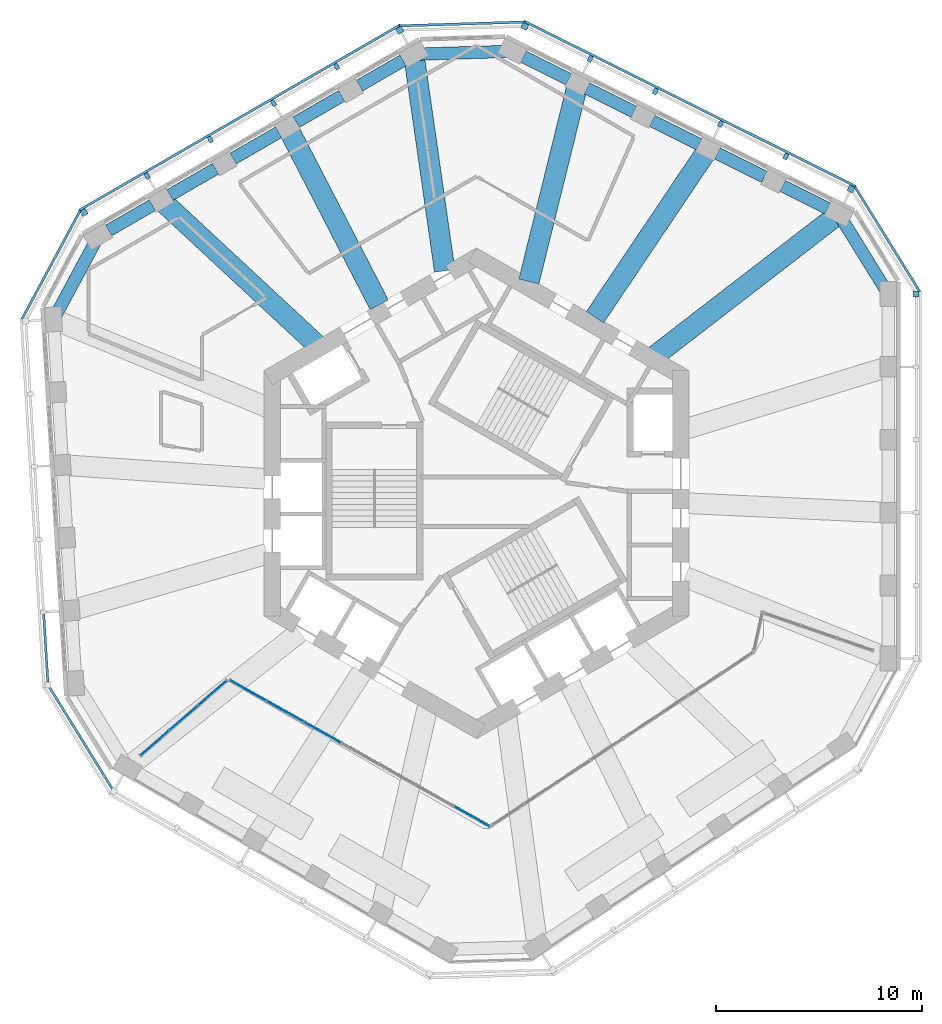
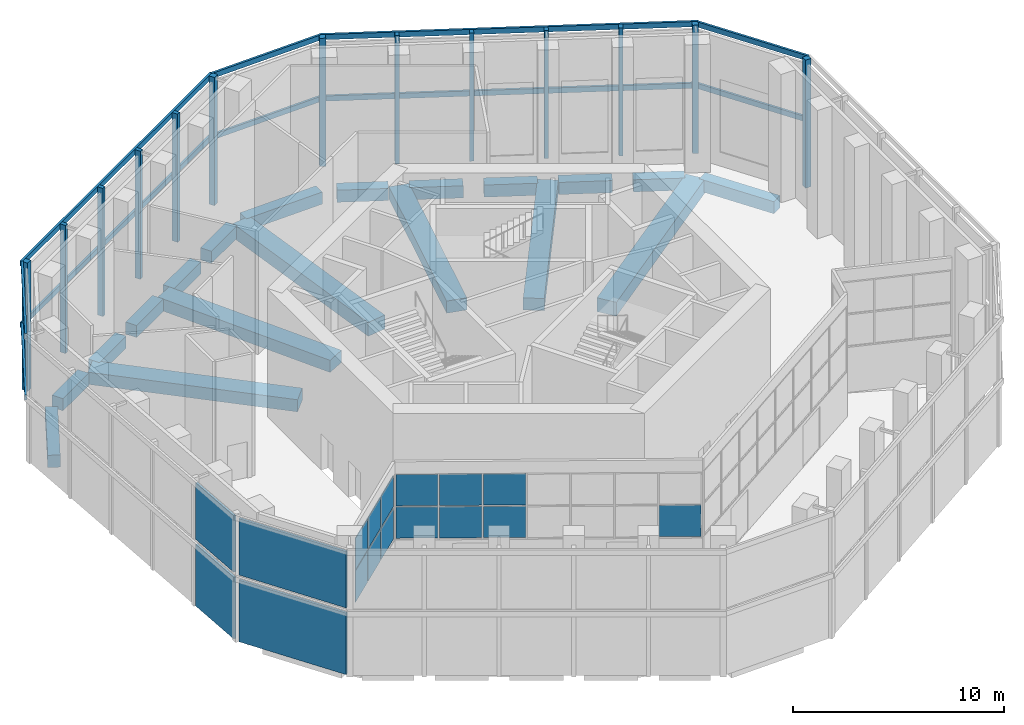
# One storey, part 6 of 17: 23 members, 19 beams, 17 plates, 10 elements without a shape of their own.
"""IFC4 building model written with IfcOpenShell, lengths in metres."""

from ifc_helpers import new_model, si_unit, direction, frame, origin, origin_2d, place, context, subcontext, project, spatial, rectangle, extrude, material, layer, layer_set, material_profile, profile_set, type_object, element, aggregate, save


model = new_model("IFC4")

# Units and contexts
model_context = context("Model", 3, precision=1e-05, world=origin(), true_north=direction((0.0, 1.0)))
body_context = subcontext(model_context, "Body", "Model", "MODEL_VIEW")
ifc_project = project(units=[si_unit("LENGTHUNIT", "METRE"), si_unit("AREAUNIT", "SQUARE_METRE"), si_unit("VOLUMEUNIT", "CUBIC_METRE"), si_unit("PLANEANGLEUNIT", "RADIAN"), si_unit("MASSUNIT", "GRAM", prefix="KILO")], contexts=[model_context])

# Site, building, storey
site_placement = place(None, origin())
site = spatial("IfcSite", under=ifc_project, at=site_placement, CompositionType="ELEMENT")
building_placement = place(site_placement, origin())
building = spatial("IfcBuilding", under=site, at=building_placement, Name="Vanh Sen Convention Tower", CompositionType="ELEMENT")
storey_placement = place(building_placement, frame((0.0, 0.0, 214.300048828125)))
storey = spatial("IfcBuildingStorey", under=building, at=storey_placement, Name="L53", CompositionType="ELEMENT", Elevation=214.300048828125)

# Curtain wall, member
ifc_material_1 = material(Name="Concrete C50/60", Category="concrete")
curtain_wall_type_1 = type_object("IfcCurtainWallType", Name="Outer skin office zone", PredefinedType="NOTDEFINED", material=ifc_material_1)
curtain_wall_1_placement = place(storey_placement, origin())
curtain_wall_1 = element("IfcCurtainWall", 1, at=curtain_wall_1_placement, inside=storey, type_object=curtain_wall_type_1, Name="OUTER SKIN E L53", PredefinedType="NOTDEFINED")
ifc_material_profile_1 = material_profile(ifc_material_1, rectangle(XDim=0.300048828125, YDim=0.300048828125, at=origin_2d()), Name="Outer skin precast corner fin 300 x 300")
ifc_profile_set_1 = profile_set([ifc_material_profile_1], Name="Concrete C50/60")
member_type_1 = type_object("IfcMemberType", Name="Outer skin precast corner fin 300 x 300", PredefinedType="MULLION", material=ifc_profile_set_1)
member_1_placement = place(storey_placement, frame((21.300048828125, 9.665283203125, 0.0), z_axis=(0.0, 0.0, 1.0), x_axis=(0.0, 1.0, 0.0)))
member_1 = element("IfcMember", 2, at=member_1_placement, type_object=member_type_1, Name="OUTER SKIN CORNER FIN 6 E L53", PredefinedType="MULLION", context=body_context, shape_type="SweptSolid", body=[
    extrude(rectangle(XDim=0.300048828125, YDim=0.300048828125, at=origin_2d()), origin(), (0.0, 0.0, 1.0), 7.39990234375),
])
aggregate(curtain_wall_1, [member_1])

# Curtain wall, members
curtain_wall_2_placement = place(storey_placement, origin())
curtain_wall_2 = element("IfcCurtainWall", 3, at=curtain_wall_2_placement, inside=storey, type_object=curtain_wall_type_1, Name="OUTER SKIN NE L53", PredefinedType="NOTDEFINED")
member_2_placement = place(storey_placement, frame((18.15380859375, 14.74951171875, 0.0), z_axis=(0.0, 0.0, 1.0), x_axis=(-0.894934361602, 0.44619781311, 0.0)))
member_2 = element("IfcMember", 4, at=member_2_placement, type_object=member_type_1, Name="OUTER SKIN CORNER FIN 1 NE L53", PredefinedType="MULLION", context=body_context, shape_type="SweptSolid", body=[
    extrude(rectangle(XDim=0.300048828125, YDim=0.300048828125, at=origin_2d()), origin(), (0.0, 0.0, 1.0), 7.39990234375),
])
member_3_placement = place(storey_placement, frame((2.342041015625, 22.633056640625, 0.0), z_axis=(0.0, 0.0, 1.0), x_axis=(-0.894934361602, 0.44619781311, 0.0)))
member_3 = element("IfcMember", 5, at=member_3_placement, type_object=member_type_1, Name="OUTER SKIN CORNER FIN 6 NE L53", PredefinedType="MULLION", context=body_context, shape_type="SweptSolid", body=[
    extrude(rectangle(XDim=0.300048828125, YDim=0.300048828125, at=origin_2d()), origin(), (0.0, 0.0, 1.0), 7.39990234375),
])

curtain_wall_3_placement = place(storey_placement, origin())
curtain_wall_3 = element("IfcCurtainWall", 6, at=curtain_wall_3_placement, inside=storey, type_object=curtain_wall_type_1, Name="OUTER SKIN NW L53", PredefinedType="NOTDEFINED")
member_4_placement = place(storey_placement, frame((-3.719482421875, 22.44775390625, 0.0), z_axis=(0.0, 0.0, 1.0), x_axis=(-0.866025403784, -0.5, 0.0)))
member_4 = element("IfcMember", 7, at=member_4_placement, type_object=member_type_1, Name="OUTER SKIN CORNER FIN 1 NW L53", PredefinedType="MULLION", context=body_context, shape_type="SweptSolid", body=[
    extrude(rectangle(XDim=0.300048828125, YDim=0.300048828125, at=origin_2d()), origin(), (0.0, 0.0, 1.0), 7.39990234375),
])
member_5_placement = place(storey_placement, frame((-19.0205078125, 13.613525390625, 0.0), z_axis=(0.0, 0.0, 1.0), x_axis=(-0.866025403784, -0.5, 0.0)))
member_5 = element("IfcMember", 8, at=member_5_placement, type_object=member_type_1, Name="OUTER SKIN CORNER FIN 6 NW L53", PredefinedType="MULLION", context=body_context, shape_type="SweptSolid", body=[
    extrude(rectangle(XDim=0.300048828125, YDim=0.300048828125, at=origin_2d()), origin(), (0.0, 0.0, 1.0), 7.39990234375),
])

# Member
ifc_material_profile_2 = material_profile(ifc_material_1, rectangle(XDim=0.199951171875, YDim=0.300048828125, at=origin_2d()), Name="Outer skin precast fin 200 x 300")
ifc_profile_set_2 = profile_set([ifc_material_profile_2], Name="Concrete C50/60")
member_type_2 = type_object("IfcMemberType", Name="Outer skin precast fin 200 x 300", PredefinedType="MULLION", material=ifc_profile_set_2)
member_6_placement = place(storey_placement, frame((14.99169921875, 16.326171875, 0.0), z_axis=(0.0, 0.0, 1.0), x_axis=(-0.894934361602, 0.44619781311, 0.0)))
member_6 = element("IfcMember", 9, at=member_6_placement, type_object=member_type_2, Name="OUTER SKIN fin 2 NE L53", PredefinedType="MULLION", context=body_context, shape_type="SweptSolid", body=[
    extrude(rectangle(XDim=0.199951171875, YDim=0.300048828125, at=origin_2d()), origin(), (0.0, 0.0, 1.0), 7.39990234375),
])

member_7_placement = place(storey_placement, frame((11.8291015625, 17.90283203125, 0.0), z_axis=(0.0, 0.0, 1.0), x_axis=(-0.894934361602, 0.44619781311, 0.0)))
member_7 = element("IfcMember", 10, at=member_7_placement, type_object=member_type_2, Name="OUTER SKIN fin 3 NE L53", PredefinedType="MULLION", context=body_context, shape_type="SweptSolid", body=[
    extrude(rectangle(XDim=0.199951171875, YDim=0.300048828125, at=origin_2d()), origin(), (0.0, 0.0, 1.0), 7.39990234375),
])

member_8_placement = place(storey_placement, frame((8.666748046875, 19.4794921875, 0.0), z_axis=(0.0, 0.0, 1.0), x_axis=(-0.894934361602, 0.44619781311, 0.0)))
member_8 = element("IfcMember", 11, at=member_8_placement, type_object=member_type_2, Name="OUTER SKIN fin 4 NE L53", PredefinedType="MULLION", context=body_context, shape_type="SweptSolid", body=[
    extrude(rectangle(XDim=0.199951171875, YDim=0.300048828125, at=origin_2d()), origin(), (0.0, 0.0, 1.0), 7.39990234375),
])

member_9_placement = place(storey_placement, frame((5.50439453125, 21.056396484375, 0.0), z_axis=(0.0, 0.0, 1.0), x_axis=(-0.894934361602, 0.44619781311, 0.0)))
member_9 = element("IfcMember", 12, at=member_9_placement, type_object=member_type_2, Name="OUTER SKIN fin 5 NE L53", PredefinedType="MULLION", context=body_context, shape_type="SweptSolid", body=[
    extrude(rectangle(XDim=0.199951171875, YDim=0.300048828125, at=origin_2d()), origin(), (0.0, 0.0, 1.0), 7.39990234375),
])

member_10_placement = place(storey_placement, frame((-6.779541015625, 20.680908203125, 0.0), z_axis=(0.0, 0.0, 1.0), x_axis=(-0.866025403784, -0.5, 0.0)))
member_10 = element("IfcMember", 13, at=member_10_placement, type_object=member_type_2, Name="OUTER SKIN fin 2 NW L53", PredefinedType="MULLION", context=body_context, shape_type="SweptSolid", body=[
    extrude(rectangle(XDim=0.199951171875, YDim=0.300048828125, at=origin_2d()), origin(), (0.0, 0.0, 1.0), 7.39990234375),
])

member_11_placement = place(storey_placement, frame((-9.83984375, 18.9140625, 0.0), z_axis=(0.0, 0.0, 1.0), x_axis=(-0.866025403784, -0.5, 0.0)))
member_11 = element("IfcMember", 14, at=member_11_placement, type_object=member_type_2, Name="OUTER SKIN fin 3 NW L53", PredefinedType="MULLION", context=body_context, shape_type="SweptSolid", body=[
    extrude(rectangle(XDim=0.199951171875, YDim=0.300048828125, at=origin_2d()), origin(), (0.0, 0.0, 1.0), 7.39990234375),
])

member_12_placement = place(storey_placement, frame((-12.89990234375, 17.147216796875, 0.0), z_axis=(0.0, 0.0, 1.0), x_axis=(-0.866025403784, -0.5, 0.0)))
member_12 = element("IfcMember", 15, at=member_12_placement, type_object=member_type_2, Name="OUTER SKIN fin 4 NW L53", PredefinedType="MULLION", context=body_context, shape_type="SweptSolid", body=[
    extrude(rectangle(XDim=0.199951171875, YDim=0.300048828125, at=origin_2d()), origin(), (0.0, 0.0, 1.0), 7.39990234375),
])

member_13_placement = place(storey_placement, frame((-15.960205078125, 15.38037109375, 0.0), z_axis=(0.0, 0.0, 1.0), x_axis=(-0.866025403784, -0.5, 0.0)))
member_13 = element("IfcMember", 16, at=member_13_placement, type_object=member_type_2, Name="OUTER SKIN fin 5 NW L53", PredefinedType="MULLION", context=body_context, shape_type="SweptSolid", body=[
    extrude(rectangle(XDim=0.199951171875, YDim=0.300048828125, at=origin_2d()), origin(), (0.0, 0.0, 1.0), 7.39990234375),
])

# Curtain wall, members
curtain_wall_4_placement = place(storey_placement, origin())
curtain_wall_4 = element("IfcCurtainWall", 17, at=curtain_wall_4_placement, inside=storey, type_object=curtain_wall_type_1, Name="OUTER SKIN CH1 L53", PredefinedType="NOTDEFINED")
ifc_material_profile_3 = material_profile(ifc_material_1, rectangle(XDim=0.1201171875, YDim=0.300048828125, at=origin_2d()), Name="Outer skin precast spandrel band 300 x 120")
ifc_profile_set_3 = profile_set([ifc_material_profile_3], Name="Concrete C50/60")
member_type_3 = type_object("IfcMemberType", Name="Outer skin precast spandrel band 300 x 120", PredefinedType="USERDEFINED", material=ifc_profile_set_3)
member_14_placement = place(storey_placement, frame((21.478515625, 9.77587890625, 7.25), z_axis=(-0.526187318786, 0.850368688011, 0.0), x_axis=(-0.850368688011, -0.526187318786, 0.0)))
member_14 = element("IfcMember", 18, at=member_14_placement, type_object=member_type_3, Name="OUTER SKIN spandrel band CH1 L53", ObjectType="TRANSOM", PredefinedType="USERDEFINED", context=body_context, shape_type="SweptSolid", body=[
    extrude(rectangle(XDim=0.1201171875, YDim=0.300048828125, at=origin_2d()), origin(), (0.0, 0.0, 1.0), 5.978759765625),
])
member_15_placement = place(storey_placement, frame((21.478515625, 9.77587890625, 3.699951171875), z_axis=(-0.526187318786, 0.850368688011, 0.0), x_axis=(-0.850368688011, -0.526187318786, 0.0)))
member_15 = element("IfcMember", 19, at=member_15_placement, type_object=member_type_3, Name="OUTER SKIN spandrel band CH1 L53 mid", ObjectType="TRANSOM", PredefinedType="USERDEFINED", context=body_context, shape_type="SweptSolid", body=[
    extrude(rectangle(XDim=0.1201171875, YDim=0.300048828125, at=origin_2d()), origin(), (0.0, 0.0, 1.0), 5.978759765625),
])
aggregate(curtain_wall_4, [member_14, member_15])

# Member
member_16_placement = place(storey_placement, frame((18.3818359375, 14.87060546875, 7.25), z_axis=(-0.894940208367, 0.446186086121, 0.0), x_axis=(-0.446186086121, -0.894940208367, 0.0)))
member_16 = element("IfcMember", 20, at=member_16_placement, type_object=member_type_3, Name="OUTER SKIN spandrel band NE L53", ObjectType="TRANSOM", PredefinedType="USERDEFINED", context=body_context, shape_type="SweptSolid", body=[
    extrude(rectangle(XDim=0.1201171875, YDim=0.300048828125, at=origin_2d()), origin(), (0.0, 0.0, 1.0), 17.968017578125),
])

member_17_placement = place(storey_placement, frame((18.3818359375, 14.87060546875, 3.699951171875), z_axis=(-0.894940208367, 0.446186086121, 0.0), x_axis=(-0.446186086121, -0.894940208367, 0.0)))
member_17 = element("IfcMember", 21, at=member_17_placement, type_object=member_type_3, Name="OUTER SKIN spandrel band NE L53 mid", ObjectType="TRANSOM", PredefinedType="USERDEFINED", context=body_context, shape_type="SweptSolid", body=[
    extrude(rectangle(XDim=0.1201171875, YDim=0.300048828125, at=origin_2d()), origin(), (0.0, 0.0, 1.0), 17.968017578125),
])

aggregate(curtain_wall_2, [member_2, member_6, member_7, member_8, member_9, member_3, member_16, member_17])

# Curtain wall, members
curtain_wall_5_placement = place(storey_placement, origin())
curtain_wall_5 = element("IfcCurtainWall", 22, at=curtain_wall_5_placement, inside=storey, type_object=curtain_wall_type_1, Name="OUTER SKIN CH2 L53", PredefinedType="NOTDEFINED")
member_18_placement = place(storey_placement, frame((2.335693359375, 22.843017578125, 7.25), z_axis=(-0.999533054911, -0.030556049165, 0.0), x_axis=(0.030556049165, -0.999533054911, 0.0)))
member_18 = element("IfcMember", 23, at=member_18_placement, type_object=member_type_3, Name="OUTER SKIN spandrel band CH2 L53", ObjectType="TRANSOM", PredefinedType="USERDEFINED", context=body_context, shape_type="SweptSolid", body=[
    extrude(rectangle(XDim=0.1201171875, YDim=0.300048828125, at=origin_2d()), origin(), (0.0, 0.0, 1.0), 6.064453125),
])
member_19_placement = place(storey_placement, frame((2.335693359375, 22.843017578125, 3.699951171875), z_axis=(-0.999533054911, -0.030556049165, 0.0), x_axis=(0.030556049165, -0.999533054911, 0.0)))
member_19 = element("IfcMember", 24, at=member_19_placement, type_object=member_type_3, Name="OUTER SKIN spandrel band CH2 L53 mid", ObjectType="TRANSOM", PredefinedType="USERDEFINED", context=body_context, shape_type="SweptSolid", body=[
    extrude(rectangle(XDim=0.1201171875, YDim=0.300048828125, at=origin_2d()), origin(), (0.0, 0.0, 1.0), 6.064453125),
])
aggregate(curtain_wall_5, [member_18, member_19])

# Member
member_20_placement = place(storey_placement, frame((-3.694580078125, 22.70458984375, 7.25), z_axis=(-0.866022898019, -0.500004340088, 0.0), x_axis=(0.500004340088, -0.866022898019, 0.0)))
member_20 = element("IfcMember", 25, at=member_20_placement, type_object=member_type_3, Name="OUTER SKIN spandrel band NW L53", ObjectType="TRANSOM", PredefinedType="USERDEFINED", context=body_context, shape_type="SweptSolid", body=[
    extrude(rectangle(XDim=0.1201171875, YDim=0.300048828125, at=origin_2d()), origin(), (0.0, 0.0, 1.0), 17.968017578125),
])

member_21_placement = place(storey_placement, frame((-3.694580078125, 22.70458984375, 3.699951171875), z_axis=(-0.866022898019, -0.500004340088, 0.0), x_axis=(0.500004340088, -0.866022898019, 0.0)))
member_21 = element("IfcMember", 26, at=member_21_placement, type_object=member_type_3, Name="OUTER SKIN spandrel band NW L53 mid", ObjectType="TRANSOM", PredefinedType="USERDEFINED", context=body_context, shape_type="SweptSolid", body=[
    extrude(rectangle(XDim=0.1201171875, YDim=0.300048828125, at=origin_2d()), origin(), (0.0, 0.0, 1.0), 17.968017578125),
])

aggregate(curtain_wall_3, [member_4, member_10, member_11, member_12, member_13, member_5, member_20, member_21])

# Curtain wall, members
curtain_wall_6_placement = place(storey_placement, origin())
curtain_wall_6 = element("IfcCurtainWall", 27, at=curtain_wall_6_placement, inside=storey, type_object=curtain_wall_type_1, Name="OUTER SKIN CH3 L53", PredefinedType="NOTDEFINED")
member_22_placement = place(storey_placement, frame((-19.20556640625, 13.712890625, 7.25), z_axis=(-0.473317965247, -0.880891652688, 0.0), x_axis=(0.880891652688, -0.473317965247, 0.0)))
member_22 = element("IfcMember", 28, at=member_22_placement, type_object=member_type_3, Name="OUTER SKIN spandrel band CH3 L53", ObjectType="TRANSOM", PredefinedType="USERDEFINED", context=body_context, shape_type="SweptSolid", body=[
    extrude(rectangle(XDim=0.1201171875, YDim=0.300048828125, at=origin_2d()), origin(), (0.0, 0.0, 1.0), 5.978759765625),
])
member_23_placement = place(storey_placement, frame((-19.20556640625, 13.712890625, 3.699951171875), z_axis=(-0.473317965247, -0.880891652688, 0.0), x_axis=(0.880891652688, -0.473317965247, 0.0)))
member_23 = element("IfcMember", 29, at=member_23_placement, type_object=member_type_3, Name="OUTER SKIN spandrel band CH3 L53 mid", ObjectType="TRANSOM", PredefinedType="USERDEFINED", context=body_context, shape_type="SweptSolid", body=[
    extrude(rectangle(XDim=0.1201171875, YDim=0.300048828125, at=origin_2d()), origin(), (0.0, 0.0, 1.0), 5.978759765625),
])
aggregate(curtain_wall_6, [member_22, member_23])

# Beams
ifc_material_2 = material(Name="Concrete C50/60", Category="concrete")
ifc_material_profile_4 = material_profile(ifc_material_2, rectangle(XDim=1.0, YDim=0.699951171875, at=origin_2d()), Name="RC 1000X700")
ifc_profile_set_4 = profile_set([ifc_material_profile_4], Name="Concrete C50/60")
beam_type_1 = type_object("IfcBeamType", Name="Radial floor beam 1000 x 700", PredefinedType="BEAM", material=ifc_profile_set_4)
beam_1_placement = place(storey_placement, frame((11.21142578125, 16.672119140625, -0.699951171875), z_axis=(-0.558028035839, -0.829822096125, 0.0), x_axis=(0.829822096125, -0.558028035839, 0.0)))
element("IfcBeam", 30, at=beam_1_placement, inside=storey, type_object=beam_type_1, Name="Radial beam 05 L53", PredefinedType="BEAM", context=body_context, shape_type="SweptSolid", body=[
    extrude(rectangle(XDim=1.0, YDim=0.699951171875, at=origin_2d()), origin(), (0.0, 0.0, 1.0), 9.80615234375),
])
beam_2_placement = place(storey_placement, frame((4.889892578125, 19.79931640625, -0.699951171875), z_axis=(-0.239768228696, -0.970830158425, 0.0), x_axis=(0.970830158425, -0.239768228696, 0.0)))
element("IfcBeam", 31, at=beam_2_placement, inside=storey, type_object=beam_type_1, Name="Radial beam 06 L53", PredefinedType="BEAM", context=body_context, shape_type="SweptSolid", body=[
    extrude(rectangle(XDim=1.0, YDim=0.699951171875, at=origin_2d()), origin(), (0.0, 0.0, 1.0), 9.822021484375),
])
beam_3_placement = place(storey_placement, frame((-9.161865234375, 17.7392578125, -0.699951171875), z_axis=(0.458894668363, -0.888490677131, 0.0), x_axis=(0.888490677131, 0.458894668363, 0.0)))
element("IfcBeam", 32, at=beam_3_placement, inside=storey, type_object=beam_type_1, Name="Radial beam 08 L53", PredefinedType="BEAM", context=body_context, shape_type="SweptSolid", body=[
    extrude(rectangle(XDim=1.0, YDim=0.699951171875, at=origin_2d()), origin(), (0.0, 0.0, 1.0), 9.682861328125),
])
beam_4_placement = place(storey_placement, frame((-15.23388671875, 14.16357421875, -0.699951171875), z_axis=(0.732361312651, -0.680916226662, 0.0), x_axis=(0.680916226662, 0.732361312651, 0.0)))
element("IfcBeam", 33, at=beam_4_placement, inside=storey, type_object=beam_type_1, Name="Radial beam 09 L53", PredefinedType="BEAM", context=body_context, shape_type="SweptSolid", body=[
    extrude(rectangle(XDim=1.0, YDim=0.699951171875, at=origin_2d()), origin(), (0.0, 0.0, 1.0), 10.18408203125),
])
ifc_material_profile_5 = material_profile(ifc_material_2, rectangle(XDim=1.0, YDim=0.800048828125, at=origin_2d()), Name="RC 1000X800")
ifc_profile_set_5 = profile_set([ifc_material_profile_5], Name="Concrete C50/60")
beam_type_2 = type_object("IfcBeamType", Name="Radial floor beam 1000 x 800", PredefinedType="BEAM", material=ifc_profile_set_5)
beam_5_placement = place(storey_placement, frame((17.395263671875, 13.4208984375, -0.75), z_axis=(-0.791739798035, -0.610858487874, 0.0), x_axis=(0.610858487874, -0.791739798035, 0.0)))
element("IfcBeam", 34, at=beam_5_placement, inside=storey, type_object=beam_type_2, Name="Radial beam 04 L53", PredefinedType="BEAM", context=body_context, shape_type="SweptSolid", body=[
    extrude(rectangle(XDim=1.0, YDim=0.800048828125, at=origin_2d()), origin(), (0.0, 0.0, 1.0), 11.044921875),
])
beam_6_placement = place(storey_placement, frame((-3.012451171875, 21.055419921875, -0.75), z_axis=(0.141625557521, -0.989920300558, 0.0), x_axis=(0.989920300558, 0.141625557521, 0.0)))
element("IfcBeam", 35, at=beam_6_placement, inside=storey, type_object=beam_type_2, Name="Radial beam 07 L53", PredefinedType="BEAM", context=body_context, shape_type="SweptSolid", body=[
    extrude(rectangle(XDim=1.0, YDim=0.800048828125, at=origin_2d()), origin(), (0.0, 0.0, 1.0), 10.37744140625),
])
ifc_material_profile_6 = material_profile(ifc_material_2, rectangle(XDim=0.60009765625, YDim=0.699951171875, at=origin_2d()), Name="RC 600X700")
ifc_profile_set_6 = profile_set([ifc_material_profile_6], Name="Concrete C50/60")
beam_type_3 = type_object("IfcBeamType", Name="Spandrel beam 600 x 700", PredefinedType="SPANDREL", material=ifc_profile_set_6)
beam_7_placement = place(storey_placement, frame((19.8076171875, 9.895263671875, -0.699951171875), z_axis=(-0.526191408649, 0.85036615729, 0.0), x_axis=(-0.85036615729, -0.526191408649, 0.0)))
element("IfcBeam", 36, at=beam_7_placement, inside=storey, type_object=beam_type_3, Name="Spandrel beam 06 L53", PredefinedType="SPANDREL", context=body_context, shape_type="SweptSolid", body=[
    extrude(rectangle(XDim=0.60009765625, YDim=0.699951171875, at=origin_2d()), origin(), (0.0, 0.0, 1.0), 4.01708984375),
])
beam_8_placement = place(storey_placement, frame((17.01904296875, 13.806884765625, -0.699951171875), z_axis=(-0.894946091837, 0.446174285124, 0.0), x_axis=(-0.446174285124, -0.894946091837, 0.0)))
element("IfcBeam", 37, at=beam_8_placement, inside=storey, type_object=beam_type_3, Name="Spandrel beam 07 L53", PredefinedType="SPANDREL", context=body_context, shape_type="SweptSolid", body=[
    extrude(rectangle(XDim=0.60009765625, YDim=0.699951171875, at=origin_2d()), origin(), (0.0, 0.0, 1.0), 2.44384765625),
])
for number, where, z_axis, x_axis, name in (
    (38, (13.9462890625, 15.3388671875, -0.699951171875), (-0.894925734573, 0.446215115834, 0.0), (-0.446215115834, -0.894925734573, 0.0), "Spandrel beam 08 L53"),
    (39, (10.78369140625, 16.91552734375, -0.699951171875), (-0.894925734573, 0.446215115834, 0.0), (-0.446215115834, -0.894925734573, 0.0), "Spandrel beam 09 L53"),
    (40, (7.621337890625, 18.4921875, -0.699951171875), (-0.894925734573, 0.446215115834, 0.0), (-0.446215115834, -0.894925734573, 0.0), "Spandrel beam 10 L53"),
):
    element("IfcBeam", number, at=place(storey_placement, frame(where, z_axis=z_axis, x_axis=x_axis)), inside=storey, type_object=beam_type_3, Name=name, PredefinedType="SPANDREL", context=body_context, shape_type="SweptSolid", body=[
        extrude(rectangle(XDim=0.60009765625, YDim=0.699951171875, at=origin_2d()), origin(), (0.0, 0.0, 1.0), 2.543701171875),
    ])
beam_9_placement = place(storey_placement, frame((4.458984375, 20.069091796875, -0.699951171875), z_axis=(-0.894966097575, 0.446134154926, 0.0), x_axis=(-0.446134154926, -0.894966097575, 0.0)))
element("IfcBeam", 41, at=beam_9_placement, inside=storey, type_object=beam_type_3, Name="Spandrel beam 11 L53", PredefinedType="SPANDREL", context=body_context, shape_type="SweptSolid", body=[
    extrude(rectangle(XDim=0.60009765625, YDim=0.699951171875, at=origin_2d()), origin(), (0.0, 0.0, 1.0), 2.443359375),
])
beam_10_placement = place(storey_placement, frame((1.4580078125, 21.416259765625, -0.699951171875), z_axis=(-0.999532171157, -0.030584944386, 0.0), x_axis=(0.030584944386, -0.999532171157, 0.0)))
element("IfcBeam", 42, at=beam_10_placement, inside=storey, type_object=beam_type_3, Name="Spandrel beam 12 L53", PredefinedType="SPANDREL", context=body_context, shape_type="SweptSolid", body=[
    extrude(rectangle(XDim=0.60009765625, YDim=0.699951171875, at=origin_2d()), origin(), (0.0, 0.0, 1.0), 4.22265625),
])
beam_11_placement = place(storey_placement, frame((-3.559814453125, 20.981201171875, -0.699951171875), z_axis=(-0.865977582417, -0.500082819891, 0.0), x_axis=(0.500082819891, -0.865977582417, 0.0)))
element("IfcBeam", 43, at=beam_11_placement, inside=storey, type_object=beam_type_3, Name="Spandrel beam 13 L53", PredefinedType="SPANDREL", context=body_context, shape_type="SweptSolid", body=[
    extrude(rectangle(XDim=0.60009765625, YDim=0.699951171875, at=origin_2d()), origin(), (0.0, 0.0, 1.0), 2.443359375),
])
for number, where, z_axis, x_axis, name in (
    (44, (-6.533203125, 19.264404296875, -0.699951171875), (-0.866001775466, -0.500040923216, 0.0), (0.500040923216, -0.866001775466, 0.0), "Spandrel beam 14 L53"),
    (45, (-9.593505859375, 17.49755859375, -0.699951171875), (-0.866001775466, -0.500040923216, 0.0), (0.500040923216, -0.866001775466, 0.0), "Spandrel beam 15 L53"),
):
    element("IfcBeam", number, at=place(storey_placement, frame(where, z_axis=z_axis, x_axis=x_axis)), inside=storey, type_object=beam_type_3, Name=name, PredefinedType="SPANDREL", context=body_context, shape_type="SweptSolid", body=[
        extrude(rectangle(XDim=0.60009765625, YDim=0.699951171875, at=origin_2d()), origin(), (0.0, 0.0, 1.0), 2.543701171875),
    ])
beam_12_placement = place(storey_placement, frame((-12.65380859375, 15.730712890625, -0.699951171875), z_axis=(-0.865977774259, -0.500082487685, 0.0), x_axis=(0.500082487685, -0.865977774259, 0.0)))
element("IfcBeam", 46, at=beam_12_placement, inside=storey, type_object=beam_type_3, Name="Spandrel beam 16 L53", PredefinedType="SPANDREL", context=body_context, shape_type="SweptSolid", body=[
    extrude(rectangle(XDim=0.60009765625, YDim=0.699951171875, at=origin_2d()), origin(), (0.0, 0.0, 1.0), 2.54345703125),
])
beam_13_placement = place(storey_placement, frame((-15.7138671875, 13.9638671875, -0.699951171875), z_axis=(-0.866002566612, -0.500039553057, 0.0), x_axis=(0.500039553057, -0.866002566612, 0.0)))
element("IfcBeam", 47, at=beam_13_placement, inside=storey, type_object=beam_type_3, Name="Spandrel beam 17 L53", PredefinedType="SPANDREL", context=body_context, shape_type="SweptSolid", body=[
    extrude(rectangle(XDim=0.60009765625, YDim=0.699951171875, at=origin_2d()), origin(), (0.0, 0.0, 1.0), 2.443603515625),
])
beam_14_placement = place(storey_placement, frame((-18.473388671875, 12.206298828125, -0.699951171875), z_axis=(-0.473298708048, -0.880901999635, 0.0), x_axis=(0.880901999635, -0.473298708048, 0.0)))
element("IfcBeam", 48, at=beam_14_placement, inside=storey, type_object=beam_type_3, Name="Spandrel beam 18 L53", PredefinedType="SPANDREL", context=body_context, shape_type="SweptSolid", body=[
    extrude(rectangle(XDim=0.60009765625, YDim=0.699951171875, at=origin_2d()), origin(), (0.0, 0.0, 1.0), 4.017333984375),
])

# Curtain wall, plates
ifc_material_3 = material(Name="Aluminium structural glazing system", Category="aluminium")
curtain_wall_type_2 = type_object("IfcCurtainWallType", Name="Sky garden structural glazing", PredefinedType="NOTDEFINED", material=ifc_material_3)
curtain_wall_7_placement = place(storey_placement, origin())
curtain_wall_7 = element("IfcCurtainWall", 49, at=curtain_wall_7_placement, inside=storey, type_object=curtain_wall_type_2, Name="Winter garden glazing 4 L53", PredefinedType="NOTDEFINED")
ifc_material_4 = material(Name="Clear toughened safety glass", Category="glass")
ifc_layer_1 = layer(ifc_material_4, 0.035888671875)
ifc_layer_set_1 = layer_set([ifc_layer_1], Name="Clear toughened safety glass")
plate_type_1 = type_object("IfcPlateType", Name="Garden glazing clear glass panel 36", PredefinedType="CURTAIN_PANEL", material=ifc_layer_set_1)
plate_1_placement = place(storey_placement, frame((-0.231201171875, -15.653076171875, 2.669921875), z_axis=(0.0, 0.0, 1.0), x_axis=(-0.871654992426, 0.490119958968, 0.0)))
plate_1 = element("IfcPlate", 50, at=plate_1_placement, type_object=plate_type_1, Name="CW5 panel 1.1", PredefinedType="CURTAIN_PANEL", context=body_context, shape_type="SweptSolid", body=[
    extrude(rectangle(XDim=1.973876953125, YDim=0.035888671875, at=origin_2d()), origin(), (0.0, 0.0, 1.0), 1.804931640625),
])
plate_2_placement = place(storey_placement, frame((-7.4638671875, -11.586181640625, 2.669921875), z_axis=(0.0, 0.0, 1.0), x_axis=(-0.871654992426, 0.490119958968, 0.0)))
plate_2 = element("IfcPlate", 51, at=plate_2_placement, type_object=plate_type_1, Name="CW5 panel 5.1", PredefinedType="CURTAIN_PANEL", context=body_context, shape_type="SweptSolid", body=[
    extrude(rectangle(XDim=2.0087890625, YDim=0.035888671875, at=origin_2d()), origin(), (0.0, 0.0, 1.0), 1.804931640625),
])
plate_3_placement = place(storey_placement, frame((-7.4638671875, -11.586181640625, 4.544921875), z_axis=(0.0, 0.0, 1.0), x_axis=(-0.871654992426, 0.490119958968, 0.0)))
plate_3 = element("IfcPlate", 52, at=plate_3_placement, type_object=plate_type_1, Name="CW5 panel 5.2", PredefinedType="CURTAIN_PANEL", context=body_context, shape_type="SweptSolid", body=[
    extrude(rectangle(XDim=2.0087890625, YDim=0.035888671875, at=origin_2d()), origin(), (0.0, 0.0, 1.0), 1.804931640625),
])
plate_4_placement = place(storey_placement, frame((-9.27587890625, -10.5673828125, 2.669921875), z_axis=(0.0, 0.0, 1.0), x_axis=(-0.871654992426, 0.490119958968, 0.0)))
plate_4 = element("IfcPlate", 53, at=plate_4_placement, type_object=plate_type_1, Name="CW5 panel 6.1", PredefinedType="CURTAIN_PANEL", context=body_context, shape_type="SweptSolid", body=[
    extrude(rectangle(XDim=2.0087890625, YDim=0.035888671875, at=origin_2d()), origin(), (0.0, 0.0, 1.0), 1.804931640625),
])
plate_5_placement = place(storey_placement, frame((-9.27587890625, -10.5673828125, 4.544921875), z_axis=(0.0, 0.0, 1.0), x_axis=(-0.871654992426, 0.490119958968, 0.0)))
plate_5 = element("IfcPlate", 54, at=plate_5_placement, type_object=plate_type_1, Name="CW5 panel 6.2", PredefinedType="CURTAIN_PANEL", context=body_context, shape_type="SweptSolid", body=[
    extrude(rectangle(XDim=2.0087890625, YDim=0.035888671875, at=origin_2d()), origin(), (0.0, 0.0, 1.0), 1.804931640625),
])
plate_6_placement = place(storey_placement, frame((-11.07275390625, -9.55712890625, 2.669921875), z_axis=(0.0, 0.0, 1.0), x_axis=(-0.871654992426, 0.490119958968, 0.0)))
plate_6 = element("IfcPlate", 55, at=plate_6_placement, type_object=plate_type_1, Name="CW5 panel 7.1", PredefinedType="CURTAIN_PANEL", context=body_context, shape_type="SweptSolid", body=[
    extrude(rectangle(XDim=1.973876953125, YDim=0.035888671875, at=origin_2d()), origin(), (0.0, 0.0, 1.0), 1.804931640625),
])
plate_7_placement = place(storey_placement, frame((-11.07275390625, -9.55712890625, 4.544921875), z_axis=(0.0, 0.0, 1.0), x_axis=(-0.871654992426, 0.490119958968, 0.0)))
plate_7 = element("IfcPlate", 56, at=plate_7_placement, type_object=plate_type_1, Name="CW5 panel 7.2", PredefinedType="CURTAIN_PANEL", context=body_context, shape_type="SweptSolid", body=[
    extrude(rectangle(XDim=1.973876953125, YDim=0.035888671875, at=origin_2d()), origin(), (0.0, 0.0, 1.0), 1.804931640625),
])
aggregate(curtain_wall_7, [plate_1, plate_2, plate_3, plate_4, plate_5, plate_6, plate_7])

curtain_wall_8_placement = place(storey_placement, origin())
curtain_wall_8 = element("IfcCurtainWall", 57, at=curtain_wall_8_placement, inside=storey, type_object=curtain_wall_type_2, Name="Winter garden glazing 5 L53", PredefinedType="NOTDEFINED")
plate_8_placement = place(storey_placement, frame((-12.791748046875, -9.6728515625, 2.669921875), z_axis=(0.0, 0.0, 1.0), x_axis=(-0.754797050189, -0.655958392755, 0.0)))
plate_8 = element("IfcPlate", 58, at=plate_8_placement, type_object=plate_type_1, Name="CW5 panel 1.1", PredefinedType="CURTAIN_PANEL", context=body_context, shape_type="SweptSolid", body=[
    extrude(rectangle(XDim=1.76806640625, YDim=0.035888671875, at=origin_2d()), origin(), (0.0, 0.0, 1.0), 1.804931640625),
])
plate_9_placement = place(storey_placement, frame((-12.791748046875, -9.6728515625, 4.544921875), z_axis=(0.0, 0.0, 1.0), x_axis=(-0.754797050189, -0.655958392755, 0.0)))
plate_9 = element("IfcPlate", 59, at=plate_9_placement, type_object=plate_type_1, Name="CW5 panel 1.2", PredefinedType="CURTAIN_PANEL", context=body_context, shape_type="SweptSolid", body=[
    extrude(rectangle(XDim=1.76806640625, YDim=0.035888671875, at=origin_2d()), origin(), (0.0, 0.0, 1.0), 1.804931640625),
])
plate_10_placement = place(storey_placement, frame((-14.1923828125, -10.89013671875, 2.669921875), z_axis=(0.0, 0.0, 1.0), x_axis=(-0.754797050189, -0.655958392755, 0.0)))
plate_10 = element("IfcPlate", 60, at=plate_10_placement, type_object=plate_type_1, Name="CW5 panel 2.1", PredefinedType="CURTAIN_PANEL", context=body_context, shape_type="SweptSolid", body=[
    extrude(rectangle(XDim=1.802978515625, YDim=0.035888671875, at=origin_2d()), origin(), (0.0, 0.0, 1.0), 1.804931640625),
])
plate_11_placement = place(storey_placement, frame((-14.1923828125, -10.89013671875, 4.544921875), z_axis=(0.0, 0.0, 1.0), x_axis=(-0.754797050189, -0.655958392755, 0.0)))
plate_11 = element("IfcPlate", 61, at=plate_11_placement, type_object=plate_type_1, Name="CW5 panel 2.2", PredefinedType="CURTAIN_PANEL", context=body_context, shape_type="SweptSolid", body=[
    extrude(rectangle(XDim=1.802978515625, YDim=0.035888671875, at=origin_2d()), origin(), (0.0, 0.0, 1.0), 1.804931640625),
])
plate_12_placement = place(storey_placement, frame((-15.593017578125, -12.107177734375, 2.669921875), z_axis=(0.0, 0.0, 1.0), x_axis=(-0.754797050189, -0.655958392755, 0.0)))
plate_12 = element("IfcPlate", 62, at=plate_12_placement, type_object=plate_type_1, Name="CW5 panel 3.1", PredefinedType="CURTAIN_PANEL", context=body_context, shape_type="SweptSolid", body=[
    extrude(rectangle(XDim=1.76806640625, YDim=0.035888671875, at=origin_2d()), origin(), (0.0, 0.0, 1.0), 1.804931640625),
])
plate_13_placement = place(storey_placement, frame((-15.593017578125, -12.107177734375, 4.544921875), z_axis=(0.0, 0.0, 1.0), x_axis=(-0.754797050189, -0.655958392755, 0.0)))
plate_13 = element("IfcPlate", 63, at=plate_13_placement, type_object=plate_type_1, Name="CW5 panel 3.2", PredefinedType="CURTAIN_PANEL", context=body_context, shape_type="SweptSolid", body=[
    extrude(rectangle(XDim=1.76806640625, YDim=0.035888671875, at=origin_2d()), origin(), (0.0, 0.0, 1.0), 1.804931640625),
])
aggregate(curtain_wall_8, [plate_8, plate_9, plate_10, plate_11, plate_12, plate_13])

curtain_wall_9_placement = place(storey_placement, origin())
curtain_wall_9 = element("IfcCurtainWall", 64, at=curtain_wall_9_placement, inside=storey, type_object=curtain_wall_type_1, Name="OUTER SKIN W L53", PredefinedType="NOTDEFINED")
ifc_layer_2 = layer(ifc_material_1, 0.1201171875)
ifc_layer_set_2 = layer_set([ifc_layer_2], Name="Concrete C50/60")
plate_type_2 = type_object("IfcPlateType", Name="Outer skin precast screen panel 120", PredefinedType="CURTAIN_PANEL", material=ifc_layer_set_2)
plate_14_placement = place(storey_placement, frame((-20.881103515625, -7.499755859375, 0.0), z_axis=(0.0, 0.0, 1.0), x_axis=(0.061069444408, -0.998133519605, 0.0)))
plate_14 = element("IfcPlate", 65, at=plate_14_placement, type_object=plate_type_2, Name="OUTER SKIN screen panel W-5", PredefinedType="CURTAIN_PANEL", context=body_context, shape_type="SweptSolid", body=[
    extrude(rectangle(XDim=3.28369140625, YDim=0.1201171875, at=origin_2d()), origin(), (0.0, 0.0, 1.0), 3.550048828125),
])
plate_15_placement = place(storey_placement, frame((-20.881103515625, -7.499755859375, 3.849853515625), z_axis=(0.0, 0.0, 1.0), x_axis=(0.061069444408, -0.998133519605, 0.0)))
plate_15 = element("IfcPlate", 66, at=plate_15_placement, type_object=plate_type_2, Name="OUTER SKIN screen panel W-5", PredefinedType="CURTAIN_PANEL", context=body_context, shape_type="SweptSolid", body=[
    extrude(rectangle(XDim=3.28369140625, YDim=0.1201171875, at=origin_2d()), origin(), (0.0, 0.0, 1.0), 3.25),
])
aggregate(curtain_wall_9, [plate_14, plate_15])

curtain_wall_10_placement = place(storey_placement, origin())
curtain_wall_10 = element("IfcCurtainWall", 67, at=curtain_wall_10_placement, inside=storey, type_object=curtain_wall_type_1, Name="OUTER SKIN CH4 L53", PredefinedType="NOTDEFINED")
plate_16_placement = place(storey_placement, frame((-19.176025390625, -11.86669921875, 0.0), z_axis=(0.0, 0.0, 1.0), x_axis=(0.526215407796, -0.850351306578, 0.0)))
plate_16 = element("IfcPlate", 68, at=plate_16_placement, type_object=plate_type_2, Name="OUTER SKIN screen panel CH4-1", PredefinedType="CURTAIN_PANEL", context=body_context, shape_type="SweptSolid", body=[
    extrude(rectangle(XDim=5.76416015625, YDim=0.1201171875, at=origin_2d()), origin(), (0.0, 0.0, 1.0), 3.550048828125),
])
plate_17_placement = place(storey_placement, frame((-19.176025390625, -11.86669921875, 3.849853515625), z_axis=(0.0, 0.0, 1.0), x_axis=(0.526215407796, -0.850351306578, 0.0)))
plate_17 = element("IfcPlate", 69, at=plate_17_placement, type_object=plate_type_2, Name="OUTER SKIN screen panel CH4-1", PredefinedType="CURTAIN_PANEL", context=body_context, shape_type="SweptSolid", body=[
    extrude(rectangle(XDim=5.76416015625, YDim=0.1201171875, at=origin_2d()), origin(), (0.0, 0.0, 1.0), 3.25),
])
aggregate(curtain_wall_10, [plate_16, plate_17])

save(model, "model.ifc")
